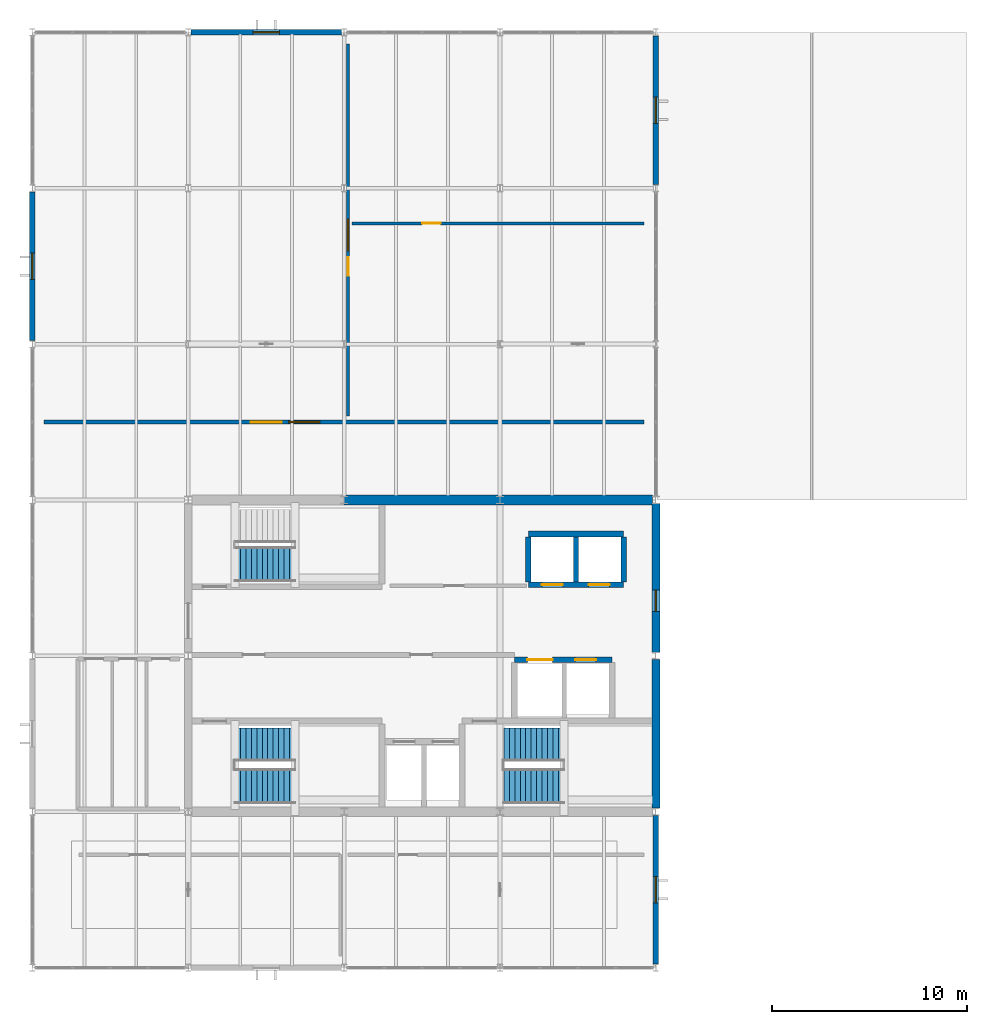
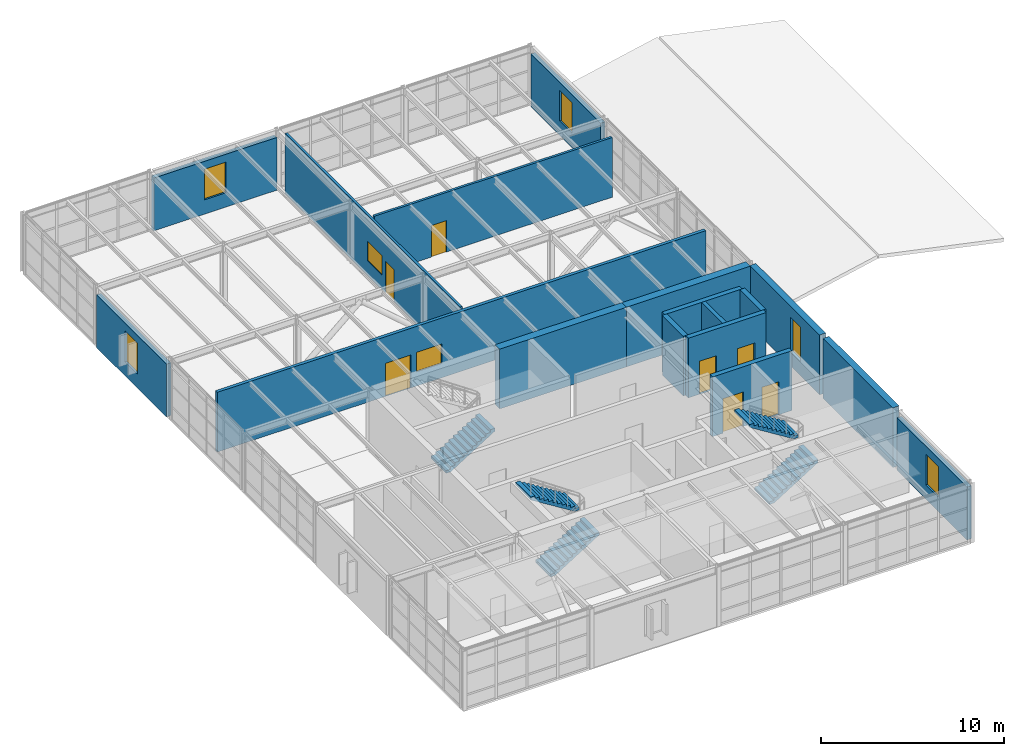
# One storey, part 17 of 20: 17 walls, 7 doors, 7 windows, 5 stair flights, 14 openings, 3 elements without a shape of their own.
"""IFC4 building model written with IfcOpenShell, lengths in metres."""

from ifc_helpers import new_model, si_unit, direction, frame, frame_2d, origin, place, context, subcontext, project, spatial, polyline, rectangle, outline, extrude, material, layer, layer_set, type_object, element, fill, aggregate, save


model = new_model("IFC4")

# Units and contexts
model_context = context("Model", 3, precision=1e-05, world=origin(), true_north=direction((0.0, 1.0)))
body_context = subcontext(model_context, "Body", "Model", "MODEL_VIEW")
ifc_project = project(units=[si_unit("LENGTHUNIT", "METRE"), si_unit("AREAUNIT", "SQUARE_METRE"), si_unit("VOLUMEUNIT", "CUBIC_METRE"), si_unit("PLANEANGLEUNIT", "RADIAN"), si_unit("MASSUNIT", "GRAM", prefix="KILO")], contexts=[model_context])

# Site, building, storey
site_placement = place(None, origin())
site = spatial("IfcSite", under=ifc_project, at=site_placement, CompositionType="ELEMENT")
building_placement = place(site_placement, origin())
building = spatial("IfcBuilding", under=site, at=building_placement, Name="Varnela Railside Interchange", CompositionType="ELEMENT")
storey_placement = place(building_placement, frame((0.0, 0.0, 28.0)))
storey = spatial("IfcBuildingStorey", under=building, at=storey_placement, Name="L06", CompositionType="ELEMENT", Elevation=28.0)

# Wall, openings, door, window
ifc_material_1 = material(Name="Gypsum acoustic board")
ifc_layer_1 = layer(ifc_material_1, 0.14990234375)
ifc_layer_set_1 = layer_set([ifc_layer_1], Name="Gypsum acoustic board")
wall_type_1 = type_object("IfcWallType", Name="Acoustic Drywall Partition IW-01", PredefinedType="PARTITIONING", material=ifc_layer_set_1)
wall_1_placement = place(storey_placement, frame((20.199951171875, 74.300048828125, 0.0), z_axis=(0.0, 0.0, 1.0), x_axis=(0.0, 1.0, 0.0)))
wall_1 = element("IfcWall", 1, at=wall_1_placement, inside=storey, type_object=wall_type_1, Name="Acoustic Drywall Partition IW-01 (L06) (WL-1016)", PredefinedType="PARTITIONING", context=body_context, shape_type="SweptSolid", body=[
    extrude(rectangle(XDim=19.099853515625, YDim=0.14990234375, at=frame_2d((9.5498046875, 0.0))), origin(), (0.0, 0.0, 1.0), 3.97998046875),
])
opening_1_placement = place(wall_1_placement, frame((7.199951171875, 0.0, 0.0)))
opening_1 = element("IfcOpeningElement", 2, at=opening_1_placement, cuts=wall_1, Name="Opening D-303", PredefinedType="OPENING", context=body_context, shape_type="SweptSolid", body=[
    extrude(rectangle(XDim=0.949951171875, YDim=2.10009765625, at=frame_2d((0.47509765625, 1.050048828125))), frame((0.0, 0.0849609375, 0.0), z_axis=(0.0, -1.0, 0.0), x_axis=(1.0, 0.0, 0.0)), (0.0, 0.0, 1.0), 0.169921875),
])
opening_2_placement = place(wall_1_placement, frame((8.5, 0.0, 0.949951171875)))
opening_2 = element("IfcOpeningElement", 3, at=opening_2_placement, cuts=wall_1, Name="Opening IW-025", PredefinedType="OPENING", context=body_context, shape_type="SweptSolid", body=[
    extrude(rectangle(XDim=1.60009765625, YDim=1.300048828125, at=frame_2d((0.800048828125, 0.64990234375))), frame((0.0, 0.0849609375, 0.0), z_axis=(0.0, -1.0, 0.0), x_axis=(1.0, 0.0, 0.0)), (0.0, 0.0, 1.0), 0.169921875),
])
ifc_material_2 = material(Name="Timber solid core", Category="wood")
door_type_1 = type_object("IfcDoorType", Name="DR-SGL-950-ACC", OperationType="NOTDEFINED", PredefinedType="DOOR", material=ifc_material_2)
door_1_placement = place(opening_1_placement, origin())
door_1 = element("IfcDoor", 4, at=door_1_placement, inside=storey, type_object=door_type_1, Name="Door D-303", OperationType="SINGLE_SWING_RIGHT", OverallHeight=2.10009765625, OverallWidth=0.949951171875, PredefinedType="DOOR", context=body_context, shape_type="SweptSolid", body=[
    extrude(rectangle(XDim=0.949951171875, YDim=2.10009765625, at=frame_2d((0.47509765625, 1.050048828125))), frame((0.0, 0.02490234375, 0.0), z_axis=(0.0, -1.0, 0.0), x_axis=(1.0, 0.0, 0.0)), (0.0, 0.0, 1.0), 0.050048828125),
])
fill(opening_1, door_1)
ifc_material_3 = material(Name="Glass laminated double", Category="glass")
window_type_1 = type_object("IfcWindowType", Name="Interior Acoustic Vision Window IW-WN1", PartitioningType="SINGLE_PANEL", PredefinedType="WINDOW", material=ifc_material_3)
window_1_placement = place(opening_2_placement, origin())
window_1 = element("IfcWindow", 5, at=window_1_placement, inside=storey, type_object=window_type_1, Name="Window IW-025", OverallHeight=1.300048828125, OverallWidth=1.60009765625, PartitioningType="SINGLE_PANEL", PredefinedType="WINDOW", context=body_context, shape_type="SweptSolid", body=[
    extrude(rectangle(XDim=1.60009765625, YDim=1.300048828125, at=frame_2d((0.800048828125, 0.64990234375))), frame((0.0, 0.030029296875, 0.0), z_axis=(0.0, -1.0, 0.0), x_axis=(1.0, 0.0, 0.0)), (0.0, 0.0, 1.0), 0.06005859375),
])
fill(opening_2, window_1)

# Wall, opening, door
wall_2_placement = place(storey_placement, frame((20.39990234375, 84.199951171875, 0.0), z_axis=(0.0, 0.0, 1.0), x_axis=(1.0, 0.0, 0.0)))
wall_2 = element("IfcWall", 6, at=wall_2_placement, inside=storey, type_object=wall_type_1, Name="Acoustic Drywall Partition IW-01 (L06) (WL-1014)", PredefinedType="PARTITIONING", context=body_context, shape_type="SweptSolid", body=[
    extrude(rectangle(XDim=15.0, YDim=0.14990234375, at=frame_2d((7.5, 0.0))), origin(), (0.0, 0.0, 1.0), 3.97998046875),
])
opening_3_placement = place(wall_2_placement, frame((3.60009765625, 0.0, 0.0)))
opening_3 = element("IfcOpeningElement", 7, at=opening_3_placement, cuts=wall_2, Name="Opening D-304", PredefinedType="OPENING", context=body_context, shape_type="SweptSolid", body=[
    extrude(rectangle(XDim=0.949951171875, YDim=2.10009765625, at=frame_2d((0.47509765625, 1.050048828125))), frame((0.0, 0.0849609375, 0.0), z_axis=(0.0, -1.0, 0.0), x_axis=(1.0, 0.0, 0.0)), (0.0, 0.0, 1.0), 0.169921875),
])
door_2_placement = place(opening_3_placement, origin())
door_2 = element("IfcDoor", 8, at=door_2_placement, inside=storey, type_object=door_type_1, Name="Door D-304", OperationType="SINGLE_SWING_LEFT", OverallHeight=2.10009765625, OverallWidth=0.949951171875, PredefinedType="DOOR", context=body_context, shape_type="SweptSolid", body=[
    extrude(rectangle(XDim=0.949951171875, YDim=2.10009765625, at=frame_2d((0.47509765625, 1.050048828125))), frame((0.0, 0.02490234375, 0.0), z_axis=(0.0, -1.0, 0.0), x_axis=(1.0, 0.0, 0.0)), (0.0, 0.0, 1.0), 0.050048828125),
])
fill(opening_3, door_2)

# Wall
ifc_material_4 = material(Name="Concrete C50", Category="concrete")
ifc_layer_2 = layer(ifc_material_4, 0.39990234375)
ifc_layer_set_2 = layer_set([ifc_layer_2], Name="Concrete C50")
wall_type_2 = type_object("IfcWallType", Name="Core Coupling Shear Wall SW-02", PredefinedType="SHEAR", material=ifc_layer_set_2)
wall_3_placement = place(storey_placement, frame((36.0, 54.179931640625, 0.0), z_axis=(0.0, 0.0, 1.0), x_axis=(0.0, 1.0, 0.0)))
element("IfcWall", 9, at=wall_3_placement, inside=storey, type_object=wall_type_2, Name="Core Coupling Shear Wall SW-02 (L06) (WL-0977)", PredefinedType="SHEAR", context=body_context, shape_type="SweptSolid", body=[
    extrude(rectangle(XDim=7.64013671875, YDim=0.39990234375, at=frame_2d((3.820068359375, 0.0))), origin(), (0.0, 0.0, 1.0), 3.97998046875),
])

# Wall, opening, window
wall_4_placement = place(storey_placement, frame((36.0, 62.179931640625, 0.0), z_axis=(0.0, 0.0, 1.0), x_axis=(0.0, 1.0, 0.0)))
wall_4 = element("IfcWall", 10, at=wall_4_placement, inside=storey, type_object=wall_type_2, Name="Core Coupling Shear Wall SW-02 (L06) (WL-0978)", PredefinedType="SHEAR", context=body_context, shape_type="SweptSolid", body=[
    extrude(rectangle(XDim=7.64013671875, YDim=0.39990234375, at=frame_2d((3.820068359375, 0.0))), origin(), (0.0, 0.0, 1.0), 3.97998046875),
])
opening_4_placement = place(wall_4_placement, frame((2.10009765625, 0.0, 0.949951171875)))
opening_4 = element("IfcOpeningElement", 11, at=opening_4_placement, cuts=wall_4, Name="Opening W-142", PredefinedType="OPENING", context=body_context, shape_type="SweptSolid", body=[
    extrude(rectangle(XDim=1.10009765625, YDim=2.300048828125, at=frame_2d((0.550048828125, 1.14990234375))), frame((0.0, 0.2099609375, 0.0), z_axis=(0.0, -1.0, 0.0), x_axis=(1.0, 0.0, 0.0)), (0.0, 0.0, 1.0), 0.419921875),
])
window_type_2 = type_object("IfcWindowType", Name="Core Stair Daylight Slot WN-25", PartitioningType="SINGLE_PANEL", PredefinedType="WINDOW", material=ifc_material_3)
window_2_placement = place(opening_4_placement, origin())
window_2 = element("IfcWindow", 12, at=window_2_placement, inside=storey, type_object=window_type_2, Name="Window W-142", OverallHeight=2.300048828125, OverallWidth=1.10009765625, PartitioningType="SINGLE_PANEL", PredefinedType="WINDOW", context=body_context, shape_type="SweptSolid", body=[
    extrude(rectangle(XDim=1.10009765625, YDim=2.300048828125, at=frame_2d((0.550048828125, 1.14990234375))), frame((0.0, 0.030029296875, 0.0), z_axis=(0.0, -1.0, 0.0), x_axis=(1.0, 0.0, 0.0)), (0.0, 0.0, 1.0), 0.06005859375),
])
fill(opening_4, window_2)

# Walls
ifc_layer_3 = layer(ifc_material_4, 0.5)
ifc_layer_set_3 = layer_set([ifc_layer_3], Name="Concrete C50")
wall_type_3 = type_object("IfcWallType", Name="Core Primary Shear Wall SW-01", PredefinedType="SHEAR", material=ifc_layer_set_3)
wall_5_placement = place(storey_placement, frame((20.0, 70.0, 0.0), z_axis=(0.0, 0.0, 1.0), x_axis=(1.0, 0.0, 0.0)))
element("IfcWall", 13, at=wall_5_placement, inside=storey, type_object=wall_type_3, Name="Core Primary Shear Wall SW-01 (L06) (WL-0992)", PredefinedType="SHEAR", context=body_context, shape_type="SweptSolid", body=[
    extrude(rectangle(XDim=8.0, YDim=0.5, at=frame_2d((4.0, 0.0))), origin(), (0.0, 0.0, 1.0), 3.97998046875),
])
wall_6_placement = place(storey_placement, frame((28.0, 70.0, 0.0), z_axis=(0.0, 0.0, 1.0), x_axis=(1.0, 0.0, 0.0)))
element("IfcWall", 14, at=wall_6_placement, inside=storey, type_object=wall_type_3, Name="Core Primary Shear Wall SW-01 (L06) (WL-0993)", PredefinedType="SHEAR", context=body_context, shape_type="SweptSolid", body=[
    extrude(rectangle(XDim=7.81494140625, YDim=0.5, at=frame_2d((3.907470703125, 0.0))), origin(), (0.0, 0.0, 1.0), 3.97998046875),
])

# Wall, openings, door, window
ifc_layer_4 = layer(ifc_material_1, 0.179931640625)
ifc_layer_set_4 = layer_set([ifc_layer_4], Name="Gypsum acoustic board")
wall_type_4 = type_object("IfcWallType", Name="Double-Stud Corridor Wall IW-02", PredefinedType="PARTITIONING", material=ifc_layer_set_4)
wall_7_placement = place(storey_placement, frame((4.60009765625, 74.0, 0.0), z_axis=(0.0, 0.0, 1.0), x_axis=(1.0, 0.0, 0.0)))
wall_7 = element("IfcWall", 15, at=wall_7_placement, inside=storey, type_object=wall_type_4, Name="Double-Stud Corridor Wall IW-02 (L06) (WL-1017)", PredefinedType="PARTITIONING", context=body_context, shape_type="SweptSolid", body=[
    extrude(rectangle(XDim=30.7998046875, YDim=0.199951171875, at=frame_2d((15.39990234375, 0.0))), origin(), (0.0, 0.0, 1.0), 3.97998046875),
])
opening_5_placement = place(wall_7_placement, frame((10.60009765625, 0.0, 0.0)))
opening_5 = element("IfcOpeningElement", 16, at=opening_5_placement, cuts=wall_7, Name="Opening D-302", PredefinedType="OPENING", context=body_context, shape_type="SweptSolid", body=[
    extrude(rectangle(XDim=1.60009765625, YDim=2.199951171875, at=frame_2d((0.800048828125, 1.10009765625))), frame((0.0, 0.10986328125, 0.0), z_axis=(0.0, -1.0, 0.0), x_axis=(1.0, 0.0, 0.0)), (0.0, 0.0, 1.0), 0.219970703125),
])
opening_6_placement = place(wall_7_placement, frame((12.550048828125, 0.0, 0.949951171875)))
opening_6 = element("IfcOpeningElement", 17, at=opening_6_placement, cuts=wall_7, Name="Opening IW-024", PredefinedType="OPENING", context=body_context, shape_type="SweptSolid", body=[
    extrude(rectangle(XDim=1.60009765625, YDim=1.300048828125, at=frame_2d((0.800048828125, 0.64990234375))), frame((0.0, 0.10986328125, 0.0), z_axis=(0.0, -1.0, 0.0), x_axis=(1.0, 0.0, 0.0)), (0.0, 0.0, 1.0), 0.219970703125),
])
door_type_2 = type_object("IfcDoorType", Name="DR-DBL-1600", OperationType="DOUBLE_DOOR_SINGLE_SWING", PredefinedType="DOOR", material=ifc_material_3)
door_3_placement = place(opening_5_placement, origin())
door_3 = element("IfcDoor", 18, at=door_3_placement, inside=storey, type_object=door_type_2, Name="Door D-302", OperationType="DOUBLE_DOOR_SINGLE_SWING", OverallHeight=2.199951171875, OverallWidth=1.60009765625, PredefinedType="DOOR", context=body_context, shape_type="SweptSolid", body=[
    extrude(rectangle(XDim=1.60009765625, YDim=2.199951171875, at=frame_2d((0.800048828125, 1.10009765625))), frame((0.0, 0.02490234375, 0.0), z_axis=(0.0, -1.0, 0.0), x_axis=(1.0, 0.0, 0.0)), (0.0, 0.0, 1.0), 0.050048828125),
])
fill(opening_5, door_3)
window_3_placement = place(opening_6_placement, origin())
window_3 = element("IfcWindow", 19, at=window_3_placement, inside=storey, type_object=window_type_1, Name="Window IW-024", OverallHeight=1.300048828125, OverallWidth=1.60009765625, PartitioningType="SINGLE_PANEL", PredefinedType="WINDOW", context=body_context, shape_type="SweptSolid", body=[
    extrude(rectangle(XDim=1.60009765625, YDim=1.300048828125, at=frame_2d((0.800048828125, 0.64990234375))), frame((0.0, 0.030029296875, 0.0), z_axis=(0.0, -1.0, 0.0), x_axis=(1.0, 0.0, 0.0)), (0.0, 0.0, 1.0), 0.06005859375),
])
fill(opening_6, window_3)

# Wall, opening, window
ifc_material_5 = material(Name="Concrete C40 precast", Category="concrete")
ifc_layer_5 = layer(ifc_material_5, 0.280029296875)
ifc_layer_set_5 = layer_set([ifc_layer_5], Name="Concrete C40 precast")
wall_type_5 = type_object("IfcWallType", Name="Ribbed Precast Concrete Facade Wall EW-02", PredefinedType="STANDARD", material=ifc_layer_set_5)
wall_8_placement = place(storey_placement, frame((4.0, 78.181396484375, 0.0), z_axis=(0.0, 0.0, 1.0), x_axis=(0.0, 1.0, 0.0)))
wall_8 = element("IfcWall", 20, at=wall_8_placement, inside=storey, type_object=wall_type_5, Name="Ribbed Precast Concrete Facade Wall EW-02 (L06) (WL-1010)", PredefinedType="STANDARD", context=body_context, shape_type="SweptSolid", body=[
    extrude(rectangle(XDim=7.63720703125, YDim=0.280029296875, at=frame_2d((3.818603515625, 0.0))), origin(), (0.0, 0.0, 1.0), 3.52001953125),
])
opening_7_placement = place(wall_8_placement, frame((3.1435546875, 0.0, 0.949951171875)))
opening_7 = element("IfcOpeningElement", 21, at=opening_7_placement, cuts=wall_8, Name="Opening W-145", PredefinedType="OPENING", context=body_context, shape_type="SweptSolid", body=[
    extrude(rectangle(XDim=1.35009765625, YDim=2.050048828125, at=frame_2d((0.675048828125, 1.02490234375))), frame((0.0, 0.14990234375, 0.0), z_axis=(0.0, -1.0, 0.0), x_axis=(1.0, 0.0, 0.0)), (0.0, 0.0, 1.0), 0.300048828125),
])
window_type_3 = type_object("IfcWindowType", Name="SCADA Corner Window WN-15", PartitioningType="SINGLE_PANEL", PredefinedType="WINDOW", material=ifc_material_3)
window_4_placement = place(opening_7_placement, origin())
window_4 = element("IfcWindow", 22, at=window_4_placement, inside=storey, type_object=window_type_3, Name="Window W-145", OverallHeight=2.050048828125, OverallWidth=1.35009765625, PartitioningType="SINGLE_PANEL", PredefinedType="WINDOW", context=body_context, shape_type="SweptSolid", body=[
    extrude(rectangle(XDim=1.35009765625, YDim=2.050048828125, at=frame_2d((0.675048828125, 1.02490234375))), frame((0.0, 0.030029296875, 0.0), z_axis=(0.0, -1.0, 0.0), x_axis=(1.0, 0.0, 0.0)), (0.0, 0.0, 1.0), 0.06005859375),
])
fill(opening_7, window_4)

wall_9_placement = place(storey_placement, frame((12.12841796875, 94.0, 0.0), z_axis=(0.0, 0.0, 1.0), x_axis=(1.0, 0.0, 0.0)))
wall_9 = element("IfcWall", 23, at=wall_9_placement, inside=storey, type_object=wall_type_5, Name="Ribbed Precast Concrete Facade Wall EW-02 (L06) (WL-1005)", PredefinedType="STANDARD", context=body_context, shape_type="SweptSolid", body=[
    extrude(rectangle(XDim=7.7431640625, YDim=0.280029296875, at=frame_2d((3.87158203125, 0.0))), origin(), (0.0, 0.0, 1.0), 3.52001953125),
])
opening_8_placement = place(wall_9_placement, frame((3.196533203125, 0.0, 0.949951171875)))
opening_8 = element("IfcOpeningElement", 24, at=opening_8_placement, cuts=wall_9, Name="Opening W-146", PredefinedType="OPENING", context=body_context, shape_type="SweptSolid", body=[
    extrude(rectangle(XDim=1.35009765625, YDim=2.050048828125, at=frame_2d((0.675048828125, 1.02490234375))), frame((0.0, 0.14990234375, 0.0), z_axis=(0.0, -1.0, 0.0), x_axis=(1.0, 0.0, 0.0)), (0.0, 0.0, 1.0), 0.300048828125),
])
window_5_placement = place(opening_8_placement, origin())
window_5 = element("IfcWindow", 25, at=window_5_placement, inside=storey, type_object=window_type_3, Name="Window W-146", OverallHeight=2.050048828125, OverallWidth=1.35009765625, PartitioningType="SINGLE_PANEL", PredefinedType="WINDOW", context=body_context, shape_type="SweptSolid", body=[
    extrude(rectangle(XDim=1.35009765625, YDim=2.050048828125, at=frame_2d((0.675048828125, 1.02490234375))), frame((0.0, 0.030029296875, 0.0), z_axis=(0.0, -1.0, 0.0), x_axis=(1.0, 0.0, 0.0)), (0.0, 0.0, 1.0), 0.06005859375),
])
fill(opening_8, window_5)

wall_10_placement = place(storey_placement, frame((36.0, 93.818603515625, 0.0), z_axis=(0.0, 0.0, 1.0), x_axis=(0.0, -1.0, 0.0)))
wall_10 = element("IfcWall", 26, at=wall_10_placement, inside=storey, type_object=wall_type_5, Name="Ribbed Precast Concrete Facade Wall EW-02 (L06) (WL-1006)", PredefinedType="STANDARD", context=body_context, shape_type="SweptSolid", body=[
    extrude(rectangle(XDim=7.63720703125, YDim=0.280029296875, at=frame_2d((3.818603515625, 0.0))), origin(), (0.0, 0.0, 1.0), 3.52001953125),
])
opening_9_placement = place(wall_10_placement, frame((3.1435546875, 0.0, 0.949951171875)))
opening_9 = element("IfcOpeningElement", 27, at=opening_9_placement, cuts=wall_10, Name="Opening W-147", PredefinedType="OPENING", context=body_context, shape_type="SweptSolid", body=[
    extrude(rectangle(XDim=1.35009765625, YDim=2.050048828125, at=frame_2d((0.675048828125, 1.02490234375))), frame((0.0, 0.14990234375, 0.0), z_axis=(0.0, -1.0, 0.0), x_axis=(1.0, 0.0, 0.0)), (0.0, 0.0, 1.0), 0.300048828125),
])
window_6_placement = place(opening_9_placement, origin())
window_6 = element("IfcWindow", 28, at=window_6_placement, inside=storey, type_object=window_type_3, Name="Window W-147", OverallHeight=2.050048828125, OverallWidth=1.35009765625, PartitioningType="SINGLE_PANEL", PredefinedType="WINDOW", context=body_context, shape_type="SweptSolid", body=[
    extrude(rectangle(XDim=1.35009765625, YDim=2.050048828125, at=frame_2d((0.675048828125, 1.02490234375))), frame((0.0, 0.030029296875, 0.0), z_axis=(0.0, -1.0, 0.0), x_axis=(1.0, 0.0, 0.0)), (0.0, 0.0, 1.0), 0.06005859375),
])
fill(opening_9, window_6)

wall_11_placement = place(storey_placement, frame((36.0, 53.820068359375, 0.0), z_axis=(0.0, 0.0, 1.0), x_axis=(0.0, -1.0, 0.0)))
wall_11 = element("IfcWall", 29, at=wall_11_placement, inside=storey, type_object=wall_type_5, Name="Ribbed Precast Concrete Facade Wall EW-02 (L06) (WL-1007)", PredefinedType="STANDARD", context=body_context, shape_type="SweptSolid", body=[
    extrude(rectangle(XDim=7.638671875, YDim=0.280029296875, at=frame_2d((3.8193359375, 0.0))), origin(), (0.0, 0.0, 1.0), 3.52001953125),
])
opening_10_placement = place(wall_11_placement, frame((3.144287109375, 0.0, 0.949951171875)))
opening_10 = element("IfcOpeningElement", 30, at=opening_10_placement, cuts=wall_11, Name="Opening W-148", PredefinedType="OPENING", context=body_context, shape_type="SweptSolid", body=[
    extrude(rectangle(XDim=1.35009765625, YDim=2.050048828125, at=frame_2d((0.675048828125, 1.02490234375))), frame((0.0, 0.14990234375, 0.0), z_axis=(0.0, -1.0, 0.0), x_axis=(1.0, 0.0, 0.0)), (0.0, 0.0, 1.0), 0.300048828125),
])
window_7_placement = place(opening_10_placement, origin())
window_7 = element("IfcWindow", 31, at=window_7_placement, inside=storey, type_object=window_type_3, Name="Window W-148", OverallHeight=2.050048828125, OverallWidth=1.35009765625, PartitioningType="SINGLE_PANEL", PredefinedType="WINDOW", context=body_context, shape_type="SweptSolid", body=[
    extrude(rectangle(XDim=1.35009765625, YDim=2.050048828125, at=frame_2d((0.675048828125, 1.02490234375))), frame((0.0, 0.030029296875, 0.0), z_axis=(0.0, -1.0, 0.0), x_axis=(1.0, 0.0, 0.0)), (0.0, 0.0, 1.0), 0.06005859375),
])
fill(opening_10, window_7)

# Wall, openings, doors
ifc_layer_6 = layer(ifc_material_4, 0.300048828125)
ifc_layer_set_6 = layer_set([ifc_layer_6], Name="Concrete C50")
wall_type_6 = type_object("IfcWallType", Name="Stair & Lift Shaft Wall SW-03", PredefinedType="SHEAR", material=ifc_layer_set_6)
wall_12_placement = place(storey_placement, frame((28.75, 61.800048828125, 0.0), z_axis=(0.0, 0.0, 1.0), x_axis=(1.0, 0.0, 0.0)))
wall_12 = element("IfcWall", 32, at=wall_12_placement, inside=storey, type_object=wall_type_6, Name="Stair & Lift Shaft Wall SW-03 (L06) (WL-0984)", PredefinedType="SHEAR", context=body_context, shape_type="SweptSolid", body=[
    extrude(rectangle(XDim=5.0, YDim=0.300048828125, at=frame_2d((2.5, 0.0))), origin(), (0.0, 0.0, 1.0), 3.97998046875),
])
opening_11_placement = place(wall_12_placement, frame((0.64990234375, 0.0, 0.0)))
opening_11 = element("IfcOpeningElement", 33, at=opening_11_placement, cuts=wall_12, Name="Opening LD-086", PredefinedType="OPENING", context=body_context, shape_type="SweptSolid", body=[
    extrude(rectangle(XDim=1.300048828125, YDim=2.300048828125, at=frame_2d((0.64990234375, 1.14990234375))), frame((0.0, 0.159912109375, 0.0), z_axis=(0.0, -1.0, 0.0), x_axis=(1.0, 0.0, 0.0)), (0.0, 0.0, 1.0), 0.320068359375),
])
opening_12_placement = place(wall_12_placement, frame((3.10009765625, 0.0, 0.0)))
opening_12 = element("IfcOpeningElement", 34, at=opening_12_placement, cuts=wall_12, Name="Opening LD-087", PredefinedType="OPENING", context=body_context, shape_type="SweptSolid", body=[
    extrude(rectangle(XDim=1.080078125, YDim=2.199951171875, at=frame_2d((0.5400390625, 1.10009765625))), frame((0.0, 0.159912109375, 0.0), z_axis=(0.0, -1.0, 0.0), x_axis=(1.0, 0.0, 0.0)), (0.0, 0.0, 1.0), 0.320068359375),
])
ifc_material_6 = material(Name="Steel AR 350 (350 MPa)", Category="steel")
door_type_3 = type_object("IfcDoorType", Name="DR-LIFT-1080", OperationType="SLIDING_TO_LEFT", PredefinedType="DOOR", material=ifc_material_6)
door_4_placement = place(opening_12_placement, origin())
door_4 = element("IfcDoor", 35, at=door_4_placement, inside=storey, type_object=door_type_3, Name="Door LD-087", OperationType="SLIDING_TO_LEFT", OverallHeight=2.199951171875, OverallWidth=1.080078125, PredefinedType="DOOR", context=body_context, shape_type="SweptSolid", body=[
    extrude(rectangle(XDim=1.080078125, YDim=2.199951171875, at=frame_2d((0.5400390625, 1.10009765625))), frame((0.0, 0.02490234375, 0.0), z_axis=(0.0, -1.0, 0.0), x_axis=(1.0, 0.0, 0.0)), (0.0, 0.0, 1.0), 0.050048828125),
])
fill(opening_12, door_4)
door_type_4 = type_object("IfcDoorType", Name="DR-LIFT-1300", OperationType="SLIDING_TO_LEFT", PredefinedType="DOOR", material=ifc_material_6)
door_5_placement = place(opening_11_placement, origin())
door_5 = element("IfcDoor", 36, at=door_5_placement, inside=storey, type_object=door_type_4, Name="Door LD-086", OperationType="SLIDING_TO_LEFT", OverallHeight=2.300048828125, OverallWidth=1.300048828125, PredefinedType="DOOR", context=body_context, shape_type="SweptSolid", body=[
    extrude(rectangle(XDim=1.300048828125, YDim=2.300048828125, at=frame_2d((0.64990234375, 1.14990234375))), frame((0.0, 0.02490234375, 0.0), z_axis=(0.0, -1.0, 0.0), x_axis=(1.0, 0.0, 0.0)), (0.0, 0.0, 1.0), 0.050048828125),
])
fill(opening_11, door_5)

wall_13_placement = place(storey_placement, frame((29.449951171875, 65.64990234375, 0.0), z_axis=(0.0, 0.0, 1.0), x_axis=(1.0, 0.0, 0.0)))
wall_13 = element("IfcWall", 37, at=wall_13_placement, inside=storey, type_object=wall_type_6, Name="Stair & Lift Shaft Wall SW-03 (L06) (WL-0989)", PredefinedType="SHEAR", context=body_context, shape_type="SweptSolid", body=[
    extrude(rectangle(XDim=4.900146484375, YDim=0.300048828125, at=frame_2d((2.4501953125, 0.0))), origin(), (0.0, 0.0, 1.0), 3.97998046875),
])
opening_13_placement = place(wall_13_placement, frame((0.699951171875, 0.0, 0.0)))
opening_13 = element("IfcOpeningElement", 38, at=opening_13_placement, cuts=wall_13, Name="Opening LD-088", PredefinedType="OPENING", context=body_context, shape_type="SweptSolid", body=[
    extrude(rectangle(XDim=1.080078125, YDim=2.199951171875, at=frame_2d((0.5400390625, 1.10009765625))), frame((0.0, 0.159912109375, 0.0), z_axis=(0.0, -1.0, 0.0), x_axis=(1.0, 0.0, 0.0)), (0.0, 0.0, 1.0), 0.320068359375),
])
opening_14_placement = place(wall_13_placement, frame((3.10009765625, 0.0, 0.0)))
opening_14 = element("IfcOpeningElement", 39, at=opening_14_placement, cuts=wall_13, Name="Opening LD-089", PredefinedType="OPENING", context=body_context, shape_type="SweptSolid", body=[
    extrude(rectangle(XDim=1.080078125, YDim=2.199951171875, at=frame_2d((0.5400390625, 1.10009765625))), frame((0.0, 0.159912109375, 0.0), z_axis=(0.0, -1.0, 0.0), x_axis=(1.0, 0.0, 0.0)), (0.0, 0.0, 1.0), 0.320068359375),
])
door_6_placement = place(opening_13_placement, origin())
door_6 = element("IfcDoor", 40, at=door_6_placement, inside=storey, type_object=door_type_3, Name="Door LD-088", OperationType="SLIDING_TO_LEFT", OverallHeight=2.199951171875, OverallWidth=1.080078125, PredefinedType="DOOR", context=body_context, shape_type="SweptSolid", body=[
    extrude(rectangle(XDim=1.080078125, YDim=2.199951171875, at=frame_2d((0.5400390625, 1.10009765625))), frame((0.0, 0.02490234375, 0.0), z_axis=(0.0, -1.0, 0.0), x_axis=(1.0, 0.0, 0.0)), (0.0, 0.0, 1.0), 0.050048828125),
])
fill(opening_13, door_6)
door_7_placement = place(opening_14_placement, origin())
door_7 = element("IfcDoor", 41, at=door_7_placement, inside=storey, type_object=door_type_3, Name="Door LD-089", OperationType="SLIDING_TO_LEFT", OverallHeight=2.199951171875, OverallWidth=1.080078125, PredefinedType="DOOR", context=body_context, shape_type="SweptSolid", body=[
    extrude(rectangle(XDim=1.080078125, YDim=2.199951171875, at=frame_2d((0.5400390625, 1.10009765625))), frame((0.0, 0.02490234375, 0.0), z_axis=(0.0, -1.0, 0.0), x_axis=(1.0, 0.0, 0.0)), (0.0, 0.0, 1.0), 0.050048828125),
])
fill(opening_14, door_7)

# Walls
wall_14_placement = place(storey_placement, frame((29.449951171875, 68.25, 0.0), z_axis=(0.0, 0.0, 1.0), x_axis=(1.0, 0.0, 0.0)))
element("IfcWall", 42, at=wall_14_placement, inside=storey, type_object=wall_type_6, Name="Stair & Lift Shaft Wall SW-03 (L06) (WL-0988)", PredefinedType="SHEAR", context=body_context, shape_type="SweptSolid", body=[
    extrude(rectangle(XDim=4.900146484375, YDim=0.300048828125, at=frame_2d((2.4501953125, 0.0))), origin(), (0.0, 0.0, 1.0), 3.97998046875),
])
for number, where, z_axis, x_axis, name in (
    (43, (29.449951171875, 65.800048828125, 0.0), (0.0, 0.0, 1.0), (0.0, 1.0, 0.0), "Stair & Lift Shaft Wall SW-03 (L06) (WL-0990)"),
    (44, (34.35009765625, 65.800048828125, 0.0), (0.0, 0.0, 1.0), (0.0, 1.0, 0.0), "Stair & Lift Shaft Wall SW-03 (L06) (WL-0987)"),
):
    element("IfcWall", number, at=place(storey_placement, frame(where, z_axis=z_axis, x_axis=x_axis)), inside=storey, type_object=wall_type_6, Name=name, PredefinedType="SHEAR", context=body_context, shape_type="SweptSolid", body=[
        extrude(rectangle(XDim=2.300048828125, YDim=0.300048828125, at=frame_2d((1.14990234375, 0.0))), origin(), (0.0, 0.0, 1.0), 3.97998046875),
    ])
wall_15_placement = place(storey_placement, frame((31.89990234375, 65.800048828125, 0.0), z_axis=(0.0, 0.0, 1.0), x_axis=(0.0, 1.0, 0.0)))
element("IfcWall", 45, at=wall_15_placement, inside=storey, type_object=wall_type_6, Name="Stair & Lift Shaft Wall SW-03 (L06) (WL-0986)", PredefinedType="SHEAR", context=body_context, shape_type="SweptSolid", body=[
    extrude(rectangle(XDim=2.300048828125, YDim=0.25, at=frame_2d((1.14990234375, 0.0))), origin(), (0.0, 0.0, 1.0), 3.97998046875),
])

# Stair, stair flights
ifc_material_7 = material(Name="Concrete C40", Category="concrete")
stair_type = type_object("IfcStairType", Name="Core Pressurized Stair ST-165", PredefinedType="TWO_STRAIGHT_RUN_STAIR", material=ifc_material_7)
stair_1_placement = place(storey_placement, origin())
stair_1 = element("IfcStair", 46, at=stair_1_placement, inside=storey, type_object=stair_type, Name="Stair ST-T1 (L06) (SF-211)", PredefinedType="TWO_STRAIGHT_RUN_STAIR")
stair_flight_type = type_object("IfcStairFlightType", Name="Concrete Stair Flight SF-165", PredefinedType="STRAIGHT", material=ifc_material_7)
stair_flight_1_placement = place(storey_placement, frame((14.39990234375, 55.324951171875, 0.0), z_axis=(0.0, 0.0, 1.0), x_axis=(1.0, 0.0, 0.0)))
stair_flight_1 = element("IfcStairFlight", 47, at=stair_flight_1_placement, type_object=stair_flight_type, Name="ST-T1 flight 1 (SF-212)", NumberOfRisers=12, NumberOfTreads=11, PredefinedType="STRAIGHT", RiserHeight=0.175, TreadLength=0.28, context=body_context, shape_type="SweptSolid", body=[
    extrude(outline(polyline([(0.0, 0.0), (0.0, 0.175048828125), (0.280029296875, 0.175048828125), (0.280029296875, 0.35009765625), (0.56005859375, 0.35009765625), (0.56005859375, 0.52490234375), (0.840087890625, 0.52490234375), (0.840087890625, 0.699951171875), (1.1201171875, 0.699951171875), (1.1201171875, 0.875), (1.39990234375, 0.875), (1.39990234375, 1.050048828125), (1.679931640625, 1.050048828125), (1.679931640625, 1.22509765625), (1.9599609375, 1.22509765625), (1.9599609375, 1.39990234375), (2.239990234375, 1.39990234375), (2.239990234375, 1.574951171875), (2.52001953125, 1.574951171875), (2.52001953125, 1.75), (2.800048828125, 1.75), (2.800048828125, 1.925048828125), (3.080078125, 1.925048828125), (3.080078125, 2.10009765625), (3.080078125, 1.736328125), (0.3017578125, 0.0), (0.0, 0.0)])), frame((0.0, 0.824951171875, 0.0), z_axis=(0.0, -1.0, 0.0), x_axis=(1.0, 0.0, 0.0)), (0.0, 0.0, 1.0), 1.64990234375),
])
stair_flight_2_placement = place(storey_placement, frame((17.47998046875, 57.47509765625, 2.10009765625), z_axis=(0.0, 0.0, 1.0), x_axis=(-1.0, 0.0, 0.0)))
stair_flight_2 = element("IfcStairFlight", 48, at=stair_flight_2_placement, type_object=stair_flight_type, Name="ST-T1 flight 2 (SF-213)", NumberOfRisers=12, NumberOfTreads=11, PredefinedType="STRAIGHT", RiserHeight=0.175, TreadLength=0.28, context=body_context, shape_type="SweptSolid", body=[
    extrude(outline(polyline([(0.0, 0.0), (0.0, 0.175048828125), (0.280029296875, 0.175048828125), (0.280029296875, 0.35009765625), (0.56005859375, 0.35009765625), (0.56005859375, 0.52490234375), (0.840087890625, 0.52490234375), (0.840087890625, 0.699951171875), (1.1201171875, 0.699951171875), (1.1201171875, 0.875), (1.39990234375, 0.875), (1.39990234375, 1.050048828125), (1.679931640625, 1.050048828125), (1.679931640625, 1.22509765625), (1.9599609375, 1.22509765625), (1.9599609375, 1.39990234375), (2.239990234375, 1.39990234375), (2.239990234375, 1.574951171875), (2.52001953125, 1.574951171875), (2.52001953125, 1.75), (2.800048828125, 1.75), (2.800048828125, 1.925048828125), (3.080078125, 1.925048828125), (3.080078125, 2.10009765625), (3.080078125, 1.736328125), (0.3017578125, 0.0), (0.0, 0.0)])), frame((0.0, 0.824951171875, 0.0), z_axis=(0.0, -1.0, 0.0), x_axis=(1.0, 0.0, 0.0)), (0.0, 0.0, 1.0), 1.64990234375),
])
aggregate(stair_1, [stair_flight_1, stair_flight_2])

stair_2_placement = place(storey_placement, origin())
stair_2 = element("IfcStair", 49, at=stair_2_placement, inside=storey, type_object=stair_type, Name="Stair ST-T2 (L06) (SF-214)", PredefinedType="TWO_STRAIGHT_RUN_STAIR")
stair_flight_3_placement = place(storey_placement, frame((28.199951171875, 55.324951171875, 0.0), z_axis=(0.0, 0.0, 1.0), x_axis=(1.0, 0.0, 0.0)))
stair_flight_3 = element("IfcStairFlight", 50, at=stair_flight_3_placement, type_object=stair_flight_type, Name="ST-T2 flight 1 (SF-215)", NumberOfRisers=12, NumberOfTreads=11, PredefinedType="STRAIGHT", RiserHeight=0.175, TreadLength=0.28, context=body_context, shape_type="SweptSolid", body=[
    extrude(outline(polyline([(0.0, 0.0), (0.0, 0.175048828125), (0.280029296875, 0.175048828125), (0.280029296875, 0.35009765625), (0.56005859375, 0.35009765625), (0.56005859375, 0.52490234375), (0.840087890625, 0.52490234375), (0.840087890625, 0.699951171875), (1.1201171875, 0.699951171875), (1.1201171875, 0.875), (1.39990234375, 0.875), (1.39990234375, 1.050048828125), (1.679931640625, 1.050048828125), (1.679931640625, 1.22509765625), (1.9599609375, 1.22509765625), (1.9599609375, 1.39990234375), (2.239990234375, 1.39990234375), (2.239990234375, 1.574951171875), (2.52001953125, 1.574951171875), (2.52001953125, 1.75), (2.800048828125, 1.75), (2.800048828125, 1.925048828125), (3.080078125, 1.925048828125), (3.080078125, 2.10009765625), (3.080078125, 1.736328125), (0.3017578125, 0.0), (0.0, 0.0)])), frame((0.0, 0.824951171875, 0.0), z_axis=(0.0, -1.0, 0.0), x_axis=(1.0, 0.0, 0.0)), (0.0, 0.0, 1.0), 1.64990234375),
])
stair_flight_4_placement = place(storey_placement, frame((31.280029296875, 57.47509765625, 2.10009765625), z_axis=(0.0, 0.0, 1.0), x_axis=(-1.0, 0.0, 0.0)))
stair_flight_4 = element("IfcStairFlight", 51, at=stair_flight_4_placement, type_object=stair_flight_type, Name="ST-T2 flight 2 (SF-216)", NumberOfRisers=12, NumberOfTreads=11, PredefinedType="STRAIGHT", RiserHeight=0.175, TreadLength=0.28, context=body_context, shape_type="SweptSolid", body=[
    extrude(outline(polyline([(0.0, 0.0), (0.0, 0.175048828125), (0.280029296875, 0.175048828125), (0.280029296875, 0.35009765625), (0.56005859375, 0.35009765625), (0.56005859375, 0.52490234375), (0.840087890625, 0.52490234375), (0.840087890625, 0.699951171875), (1.1201171875, 0.699951171875), (1.1201171875, 0.875), (1.39990234375, 0.875), (1.39990234375, 1.050048828125), (1.679931640625, 1.050048828125), (1.679931640625, 1.22509765625), (1.9599609375, 1.22509765625), (1.9599609375, 1.39990234375), (2.239990234375, 1.39990234375), (2.239990234375, 1.574951171875), (2.52001953125, 1.574951171875), (2.52001953125, 1.75), (2.800048828125, 1.75), (2.800048828125, 1.925048828125), (3.080078125, 1.925048828125), (3.080078125, 2.10009765625), (3.080078125, 1.736328125), (0.3017578125, 0.0), (0.0, 0.0)])), frame((0.0, 0.824951171875, 0.0), z_axis=(0.0, -1.0, 0.0), x_axis=(1.0, 0.0, 0.0)), (0.0, 0.0, 1.0), 1.64990234375),
])
aggregate(stair_2, [stair_flight_3, stair_flight_4])

# Stair, stair flight
stair_3_placement = place(storey_placement, origin())
stair_3 = element("IfcStair", 52, at=stair_3_placement, inside=storey, type_object=stair_type, Name="Stair ST-T3 (L06) (SF-217)", PredefinedType="TWO_STRAIGHT_RUN_STAIR")
stair_flight_5_placement = place(storey_placement, frame((14.39990234375, 66.72509765625, 0.0), z_axis=(0.0, 0.0, 1.0), x_axis=(1.0, 0.0, 0.0)))
stair_flight_5 = element("IfcStairFlight", 53, at=stair_flight_5_placement, type_object=stair_flight_type, Name="ST-T3 flight 1 (SF-218)", NumberOfRisers=12, NumberOfTreads=11, PredefinedType="STRAIGHT", RiserHeight=0.175, TreadLength=0.28, context=body_context, shape_type="SweptSolid", body=[
    extrude(outline(polyline([(0.0, 0.0), (0.0, 0.175048828125), (0.280029296875, 0.175048828125), (0.280029296875, 0.35009765625), (0.56005859375, 0.35009765625), (0.56005859375, 0.52490234375), (0.840087890625, 0.52490234375), (0.840087890625, 0.699951171875), (1.1201171875, 0.699951171875), (1.1201171875, 0.875), (1.39990234375, 0.875), (1.39990234375, 1.050048828125), (1.679931640625, 1.050048828125), (1.679931640625, 1.22509765625), (1.9599609375, 1.22509765625), (1.9599609375, 1.39990234375), (2.239990234375, 1.39990234375), (2.239990234375, 1.574951171875), (2.52001953125, 1.574951171875), (2.52001953125, 1.75), (2.800048828125, 1.75), (2.800048828125, 1.925048828125), (3.080078125, 1.925048828125), (3.080078125, 2.10009765625), (3.080078125, 1.736328125), (0.3017578125, 0.0), (0.0, 0.0)])), frame((0.0, 0.824951171875, 0.0), z_axis=(0.0, -1.0, 0.0), x_axis=(1.0, 0.0, 0.0)), (0.0, 0.0, 1.0), 1.64990234375),
])
aggregate(stair_3, [stair_flight_5])

save(model, "model.ifc")
